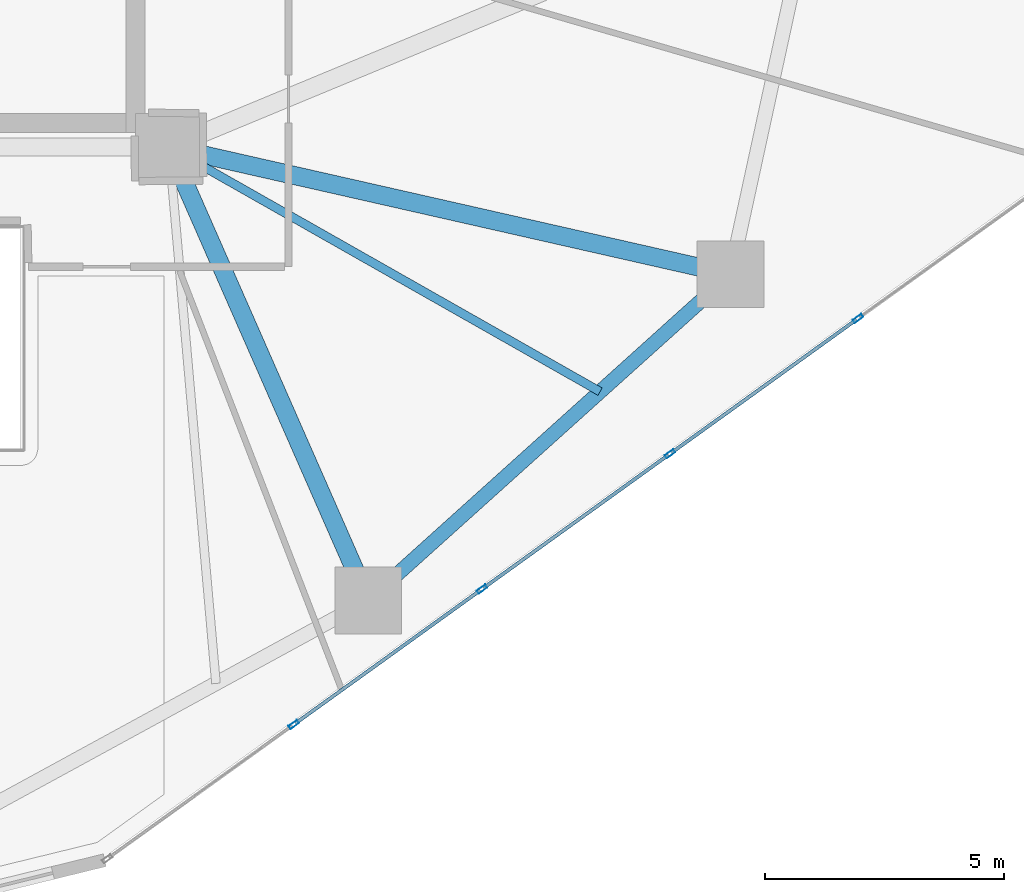
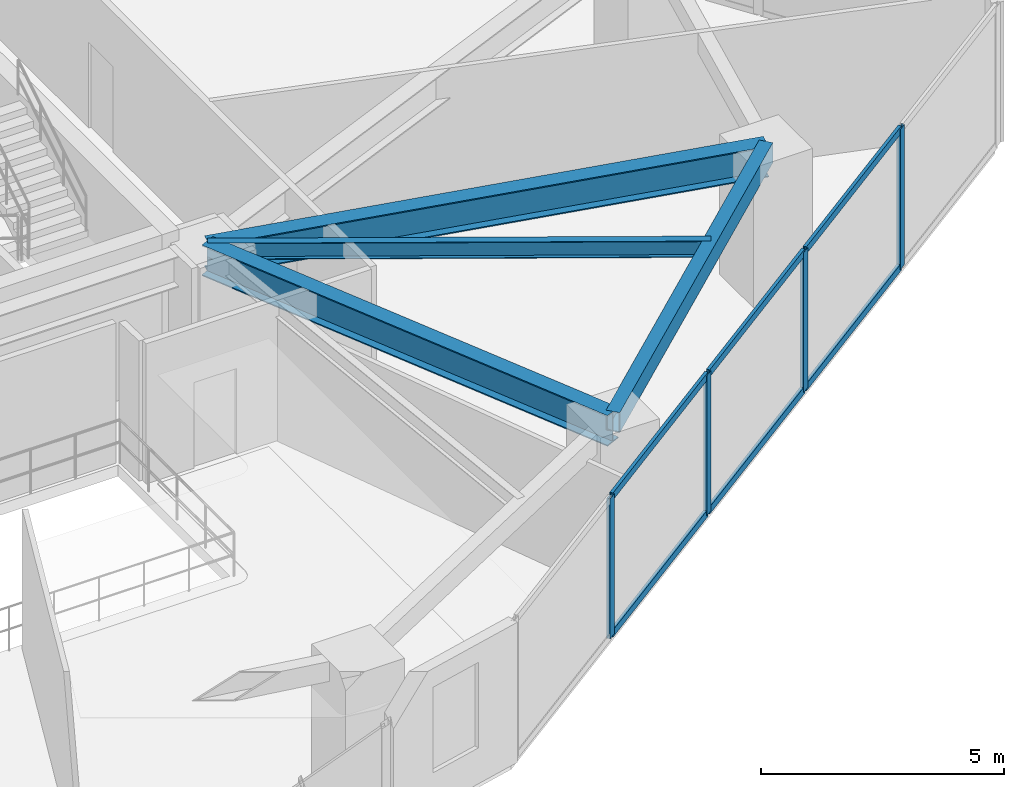
# One storey, part 9 of 22: 10 members, 4 beams, 1 element without a shape of its own.
"""IFC4 building model written with IfcOpenShell, lengths in metres."""

from ifc_helpers import new_model, si_unit, direction, frame, origin, origin_2d, place, context, subcontext, project, spatial, hollow_rectangle, i_section, extrude, source, transform, mapped, material, layer, layer_set, material_profile, profile_set, type_object, type_shapes, element, aggregate, save


model = new_model("IFC4")

# Units and contexts
model_context = context("Model", 3, precision=1e-05, world=origin(), true_north=direction((0.0, 1.0)))
body_context = subcontext(model_context, "Body", "Model", "MODEL_VIEW")
ifc_project = project(units=[si_unit("LENGTHUNIT", "METRE"), si_unit("AREAUNIT", "SQUARE_METRE"), si_unit("VOLUMEUNIT", "CUBIC_METRE"), si_unit("PLANEANGLEUNIT", "RADIAN"), si_unit("MASSUNIT", "GRAM", prefix="KILO")], contexts=[model_context])

# Site, building, storey
site_placement = place(None, origin())
site = spatial("IfcSite", under=ifc_project, at=site_placement, CompositionType="ELEMENT")
building_placement = place(site_placement, origin())
building = spatial("IfcBuilding", under=site, at=building_placement, Name="Talar Marvaseh", CompositionType="ELEMENT")
storey_placement = place(building_placement, frame((0.0, 0.0, 65.800048828125)))
storey = spatial("IfcBuildingStorey", under=building, at=storey_placement, Name="L16", CompositionType="ELEMENT", Elevation=65.800048828125)

# Beams
ifc_material_1 = material(Name="Steel S355", Category="steel")
ifc_material_profile_1 = material_profile(ifc_material_1, hollow_rectangle(XDim=0.300048828125, YDim=0.5, WallThickness=0.02001953125, at=origin_2d()), Name="RHS500x300x20")
ifc_profile_set_1 = profile_set([ifc_material_profile_1], Name="Steel S355")
beam_type_1 = type_object("IfcBeamType", Name="Zone 1 Perimeter Spandrel Beam RHS500x300x20", PredefinedType="SPANDREL", material=ifc_profile_set_1)
beam_1_placement = place(storey_placement, frame((45.0439453125, 22.840087890625, 3.27001953125), z_axis=(-0.743257224494, -0.669005753516, 0.0), x_axis=(0.669005753516, -0.743257224494, 0.0)))
element("IfcBeam", 1, at=beam_1_placement, inside=storey, type_object=beam_type_1, Name="L16 Zone 1 Perimeter Spandrel Beam RHS500x300x20", PredefinedType="SPANDREL", context=body_context, shape_type="SweptSolid", body=[
    extrude(hollow_rectangle(XDim=0.300048828125, YDim=0.5, WallThickness=0.02001953125, at=origin_2d()), origin(), (0.0, 0.0, 1.0), 10.19287109375),
])
ifc_material_profile_2 = material_profile(ifc_material_1, i_section(OverallWidth=0.381103515625, OverallDepth=0.77294921875, WebThickness=0.0166015625, FlangeThickness=0.027099609375, at=origin_2d()), Name="W760x257")
ifc_profile_set_2 = profile_set([ifc_material_profile_2], Name="Steel S355")
beam_type_2 = type_object("IfcBeamType", Name="Zone 1 Radial Floor Girder W760x257", PredefinedType="BEAM", material=ifc_profile_set_2)
beam_2_placement = place(storey_placement, frame((45.0439453125, 22.840087890625, 3.133544921875), z_axis=(-0.975296900374, 0.220898067263, 0.0), x_axis=(-0.220898067263, -0.975296900374, 0.0)))
element("IfcBeam", 2, at=beam_2_placement, inside=storey, type_object=beam_type_2, Name="L16 Zone 1 Radial Floor Girder W760x257", PredefinedType="BEAM", context=body_context, shape_type="SweptSolid", body=[
    extrude(i_section(OverallWidth=0.381103515625, OverallDepth=0.77294921875, WebThickness=0.0166015625, FlangeThickness=0.027099609375, at=origin_2d()), origin(), (0.0, 0.0, 1.0), 12.041259765625),
])
beam_3_placement = place(storey_placement, frame((37.468017578125, 16.02099609375, 3.133544921875), z_axis=(-0.402512625991, 0.915414433969, 0.0), x_axis=(-0.915414433969, -0.402512625991, 0.0)))
element("IfcBeam", 3, at=beam_3_placement, inside=storey, type_object=beam_type_2, Name="L16 Zone 1 Radial Floor Girder W760x257", PredefinedType="BEAM", context=body_context, shape_type="SweptSolid", body=[
    extrude(i_section(OverallWidth=0.381103515625, OverallDepth=0.77294921875, WebThickness=0.0166015625, FlangeThickness=0.027099609375, at=origin_2d()), origin(), (0.0, 0.0, 1.0), 10.35498046875),
])
ifc_material_profile_3 = material_profile(ifc_material_1, i_section(OverallWidth=0.179931640625, OverallDepth=0.4130859375, WebThickness=0.009765625, FlangeThickness=0.01611328125, at=origin_2d()), Name="W410x75")
ifc_profile_set_3 = profile_set([ifc_material_profile_3], Name="Steel S355")
beam_type_3 = type_object("IfcBeamType", Name="Zone 1 Secondary Floor Joist W410x75", PredefinedType="JOIST", material=ifc_profile_set_3)
beam_4_placement = place(storey_placement, frame((42.316650390625, 20.38525390625, 3.3134765625), z_axis=(-0.869801202402, 0.493402339172, 0.0), x_axis=(-0.493402339172, -0.869801202402, 0.0)))
element("IfcBeam", 4, at=beam_4_placement, inside=storey, type_object=beam_type_3, Name="L16 Zone 1 Secondary Floor Joist W410x75", PredefinedType="JOIST", context=body_context, shape_type="SweptSolid", body=[
    extrude(i_section(OverallWidth=0.179931640625, OverallDepth=0.4130859375, WebThickness=0.009765625, FlangeThickness=0.01611328125, at=origin_2d()), origin(), (0.0, 0.0, 1.0), 10.3662109375),
])

# Curtain wall, members
ifc_material_2 = material(Name="Architectural Aluminium", Category="aluminium")
ifc_layer = layer(ifc_material_2, 0.219970703125)
ifc_layer_set = layer_set([ifc_layer], Name="Architectural Aluminium")
curtain_wall_type = type_object("IfcCurtainWallType", Name="Unitised Low-E Museum Curtain Wall Z1", PredefinedType="NOTDEFINED", material=ifc_layer_set)
curtain_wall_placement = place(storey_placement, origin())
curtain_wall = element("IfcCurtainWall", 5, at=curtain_wall_placement, inside=storey, type_object=curtain_wall_type, Name="L16 Unitised Low-E Museum Curtain Wall Z1", PredefinedType="NOTDEFINED")
ifc_material_profile_4 = material_profile(ifc_material_2, hollow_rectangle(XDim=0.080078125, YDim=0.219970703125, WallThickness=0.0048828125, at=origin_2d()), Name="RHS220x80x5")
ifc_profile_set_4 = profile_set([ifc_material_profile_4], Name="Architectural Aluminium")
member_type_1 = type_object("IfcMemberType", Name="Unitised Curtain Wall Heavy Mullion RHS220x80x5", PredefinedType="MULLION", material=ifc_profile_set_4)
shared_shape_1 = source(origin(), body_context, "Body", "SweptSolid", [
    extrude(hollow_rectangle(XDim=0.080078125, YDim=0.219970703125, WallThickness=0.0048828125, at=origin_2d()), origin(), (0.0, 0.0, 1.0), 3.52001953125),
])
type_shapes(member_type_1, [shared_shape_1])
member_1_placement = place(storey_placement, frame((47.7109375, 21.916259765625, 0.0), z_axis=(0.0, 0.0, 1.0), x_axis=(0.584123119832, -0.811665066932, 0.0)))
member_1 = element("IfcMember", 6, at=member_1_placement, type_object=member_type_1, Name="CW-Z1 mullion 2", PredefinedType="MULLION", context=body_context, shape_type="MappedRepresentation", body=[
    mapped(shared_shape_1, transform((0.0, 0.0, 0.0), x_axis=(1.0, 0.0, 0.0), y_axis=(0.0, 1.0, 0.0), z_axis=(0.0, 0.0, 1.0), scale=1.0)),
])
member_2_placement = place(storey_placement, frame((43.7783203125, 19.0859375, 0.0), z_axis=(0.0, 0.0, 1.0), x_axis=(0.584123119832, -0.811665066932, 0.0)))
member_2 = element("IfcMember", 7, at=member_2_placement, type_object=member_type_1, Name="CW-Z1 mullion 3", PredefinedType="MULLION", context=body_context, shape_type="MappedRepresentation", body=[
    mapped(shared_shape_1, transform((0.0, 0.0, 0.0), x_axis=(1.0, 0.0, 0.0), y_axis=(0.0, 1.0, 0.0), z_axis=(0.0, 0.0, 1.0), scale=1.0)),
])
member_3_placement = place(storey_placement, frame((39.845458984375, 16.255859375, 0.0), z_axis=(0.0, 0.0, 1.0), x_axis=(0.584123119832, -0.811665066932, 0.0)))
member_3 = element("IfcMember", 8, at=member_3_placement, type_object=member_type_1, Name="CW-Z1 mullion 4", PredefinedType="MULLION", context=body_context, shape_type="MappedRepresentation", body=[
    mapped(shared_shape_1, transform((0.0, 0.0, 0.0), x_axis=(1.0, 0.0, 0.0), y_axis=(0.0, 1.0, 0.0), z_axis=(0.0, 0.0, 1.0), scale=1.0)),
])
member_4_placement = place(storey_placement, frame((35.91259765625, 13.425537109375, 0.0), z_axis=(0.0, 0.0, 1.0), x_axis=(0.584123119832, -0.811665066932, 0.0)))
member_4 = element("IfcMember", 9, at=member_4_placement, type_object=member_type_1, Name="CW-Z1 mullion 5", PredefinedType="MULLION", context=body_context, shape_type="MappedRepresentation", body=[
    mapped(shared_shape_1, transform((0.0, 0.0, 0.0), x_axis=(1.0, 0.0, 0.0), y_axis=(0.0, 1.0, 0.0), z_axis=(0.0, 0.0, 1.0), scale=1.0)),
])
ifc_material_profile_5 = material_profile(ifc_material_2, hollow_rectangle(XDim=0.074951171875, YDim=0.179931640625, WallThickness=0.0048828125, at=origin_2d()), Name="RHS180x75x5")
ifc_profile_set_5 = profile_set([ifc_material_profile_5], Name="Architectural Aluminium")
member_type_2 = type_object("IfcMemberType", Name="Unitised Curtain Wall Transom RHS180x75x5", PredefinedType="USERDEFINED", material=ifc_profile_set_5)
shared_shape_2 = source(origin(), body_context, "Body", "SweptSolid", [
    extrude(hollow_rectangle(XDim=0.074951171875, YDim=0.179931640625, WallThickness=0.0048828125, at=origin_2d()), origin(), (0.0, 0.0, 1.0), 4.765380859375),
])
type_shapes(member_type_2, [shared_shape_2])
member_5_placement = place(storey_placement, frame((47.678466796875, 21.89306640625, 0.037353515625), z_axis=(-0.811654817226, -0.58413736199, 0.0), x_axis=(0.58413736199, -0.811654817226, 0.0)))
member_5 = element("IfcMember", 10, at=member_5_placement, type_object=member_type_2, Name="CW-Z1 transom 2.1", ObjectType="TRANSOM", PredefinedType="USERDEFINED", context=body_context, shape_type="MappedRepresentation", body=[
    mapped(shared_shape_2, transform((0.0, 0.0, 0.0), x_axis=(1.0, 0.0, 0.0), y_axis=(0.0, 1.0, 0.0), z_axis=(0.0, 0.0, 1.0), scale=1.0)),
])
member_6_placement = place(storey_placement, frame((47.678466796875, 21.89306640625, 3.482421875), z_axis=(-0.811654817226, -0.58413736199, 0.0), x_axis=(0.58413736199, -0.811654817226, 0.0)))
member_6 = element("IfcMember", 11, at=member_6_placement, type_object=member_type_2, Name="CW-Z1 transom 2.2", ObjectType="TRANSOM", PredefinedType="USERDEFINED", context=body_context, shape_type="MappedRepresentation", body=[
    mapped(shared_shape_2, transform((0.0, 0.0, 0.0), x_axis=(1.0, 0.0, 0.0), y_axis=(0.0, 1.0, 0.0), z_axis=(0.0, 0.0, 1.0), scale=1.0)),
])
member_7_placement = place(storey_placement, frame((43.745849609375, 19.062744140625, 0.037353515625), z_axis=(-0.811654817226, -0.58413736199, 0.0), x_axis=(0.58413736199, -0.811654817226, 0.0)))
member_7 = element("IfcMember", 12, at=member_7_placement, type_object=member_type_2, Name="CW-Z1 transom 3.1", ObjectType="TRANSOM", PredefinedType="USERDEFINED", context=body_context, shape_type="MappedRepresentation", body=[
    mapped(shared_shape_2, transform((0.0, 0.0, 0.0), x_axis=(1.0, 0.0, 0.0), y_axis=(0.0, 1.0, 0.0), z_axis=(0.0, 0.0, 1.0), scale=1.0)),
])
member_8_placement = place(storey_placement, frame((43.745849609375, 19.062744140625, 3.482421875), z_axis=(-0.811654817226, -0.58413736199, 0.0), x_axis=(0.58413736199, -0.811654817226, 0.0)))
member_8 = element("IfcMember", 13, at=member_8_placement, type_object=member_type_2, Name="CW-Z1 transom 3.2", ObjectType="TRANSOM", PredefinedType="USERDEFINED", context=body_context, shape_type="MappedRepresentation", body=[
    mapped(shared_shape_2, transform((0.0, 0.0, 0.0), x_axis=(1.0, 0.0, 0.0), y_axis=(0.0, 1.0, 0.0), z_axis=(0.0, 0.0, 1.0), scale=1.0)),
])
member_9_placement = place(storey_placement, frame((39.81298828125, 16.232421875, 0.037353515625), z_axis=(-0.811654817226, -0.58413736199, 0.0), x_axis=(0.58413736199, -0.811654817226, 0.0)))
member_9 = element("IfcMember", 14, at=member_9_placement, type_object=member_type_2, Name="CW-Z1 transom 4.1", ObjectType="TRANSOM", PredefinedType="USERDEFINED", context=body_context, shape_type="MappedRepresentation", body=[
    mapped(shared_shape_2, transform((0.0, 0.0, 0.0), x_axis=(1.0, 0.0, 0.0), y_axis=(0.0, 1.0, 0.0), z_axis=(0.0, 0.0, 1.0), scale=1.0)),
])
member_10_placement = place(storey_placement, frame((39.81298828125, 16.232421875, 3.482421875), z_axis=(-0.811654817226, -0.58413736199, 0.0), x_axis=(0.58413736199, -0.811654817226, 0.0)))
member_10 = element("IfcMember", 15, at=member_10_placement, type_object=member_type_2, Name="CW-Z1 transom 4.2", ObjectType="TRANSOM", PredefinedType="USERDEFINED", context=body_context, shape_type="MappedRepresentation", body=[
    mapped(shared_shape_2, transform((0.0, 0.0, 0.0), x_axis=(1.0, 0.0, 0.0), y_axis=(0.0, 1.0, 0.0), z_axis=(0.0, 0.0, 1.0), scale=1.0)),
])
aggregate(curtain_wall, [member_1, member_2, member_3, member_4, member_5, member_6, member_7, member_8, member_9, member_10])

save(model, "model.ifc")
